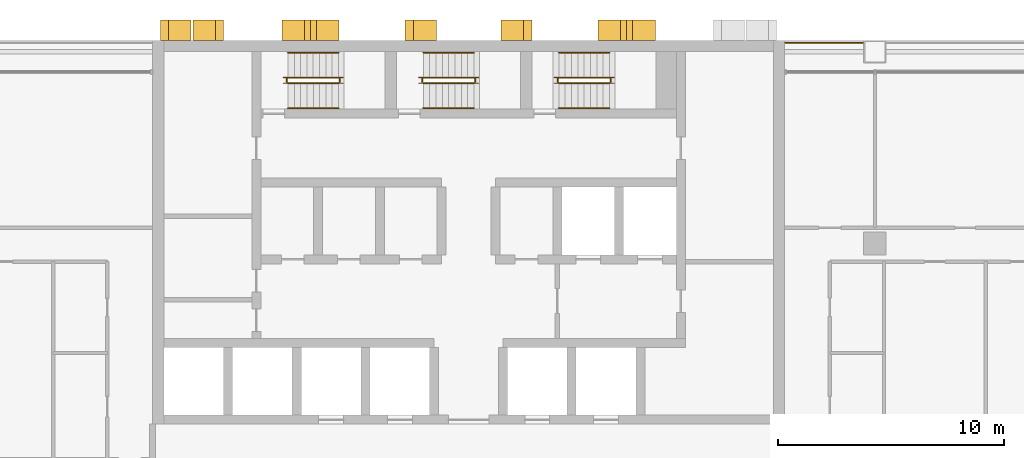
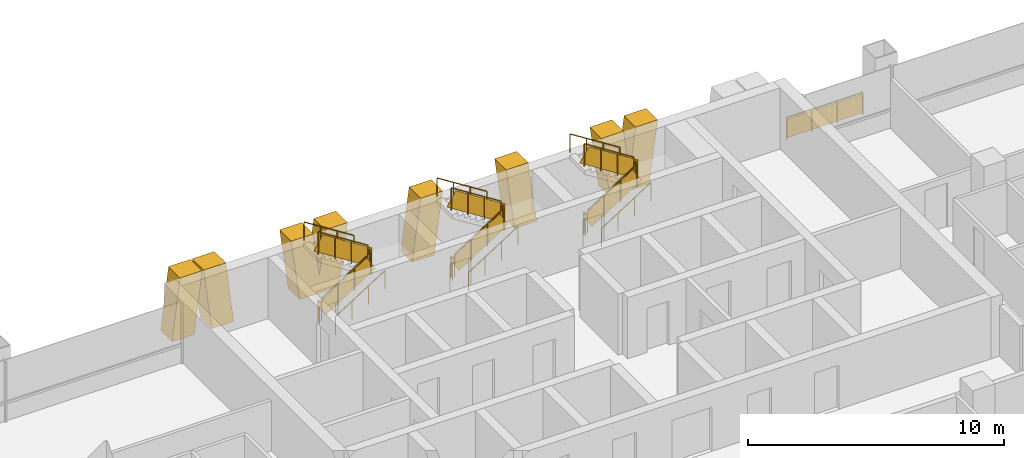
# One storey, part 17 of 18: 19 railings, 6 shading devices.
"""IFC4 building model written with IfcOpenShell, lengths in metres."""

from ifc_helpers import new_model, si_unit, direction, frame, origin, origin_2d, place, context, subcontext, project, spatial, polyline, rectangle, circle, outline, extrude, material, layer, layer_set, type_object, element, save


model = new_model("IFC4")

# Units and contexts
model_context = context("Model", 3, precision=1e-05, world=origin(), true_north=direction((0.0, 1.0)))
body_context = subcontext(model_context, "Body", "Model", "MODEL_VIEW")
ifc_project = project(units=[si_unit("LENGTHUNIT", "METRE"), si_unit("AREAUNIT", "SQUARE_METRE"), si_unit("VOLUMEUNIT", "CUBIC_METRE"), si_unit("PLANEANGLEUNIT", "RADIAN"), si_unit("MASSUNIT", "GRAM", prefix="KILO")], contexts=[model_context])

# Site, building, storey
site_placement = place(None, origin())
site = spatial("IfcSite", under=ifc_project, at=site_placement, CompositionType="ELEMENT")
building_placement = place(site_placement, origin())
building = spatial("IfcBuilding", under=site, at=building_placement, Name="Vidyagriha Tower", CompositionType="ELEMENT")
storey_placement = place(building_placement, frame((0.0, 0.0, 44.800048828125)))
storey = spatial("IfcBuildingStorey", under=building, at=storey_placement, Name="L11", CompositionType="ELEMENT", Elevation=44.800048828125)

# Shading devices
ifc_material_1 = material(Name="Precast concrete C40/50 with brick facing", Category="concrete")
ifc_layer_1 = layer(ifc_material_1, 1.0)
ifc_layer_set_1 = layer_set([ifc_layer_1], Name="Precast concrete C40/50 with brick facing")
shading_device_type_1 = type_object("IfcShadingDeviceType", Name="Brick-faced rear rib arm leaning 8 degrees", PredefinedType="USERDEFINED", material=ifc_layer_set_1)
shading_device_1_placement = place(storey_placement, frame((2.814208984375, 20.449951171875, 0.0), z_axis=(0.0, 0.0, 1.0), x_axis=(-1.0, 0.0, 0.0)))
element("IfcShadingDevice", 1, at=shading_device_1_placement, inside=storey, type_object=shading_device_type_1, Name="Rear rib arm L11 R08.3a", ObjectType="BLADE FIN", PredefinedType="USERDEFINED", context=body_context, shape_type="SweptSolid", body=[
    extrude(outline(polyline([(0.0, 0.0), (1.0, 0.0), (1.3857421875, 2.919921875), (0.3857421875, 2.919921875), (0.0, 0.0)])), frame((0.0, 0.449951171875, 0.0), z_axis=(0.0, -1.0, 0.0), x_axis=(1.0, 0.0, 0.0)), (0.0, 0.0, 1.0), 0.89990234375),
])
shading_device_2_placement = place(storey_placement, frame((-1.4287109375, 20.449951171875, 0.0), z_axis=(0.0, 0.0, 1.0), x_axis=(-1.0, 0.0, 0.0)))
element("IfcShadingDevice", 2, at=shading_device_2_placement, inside=storey, type_object=shading_device_type_1, Name="Rear rib arm L11 R08.3b", ObjectType="BLADE FIN", PredefinedType="USERDEFINED", context=body_context, shape_type="SweptSolid", body=[
    extrude(outline(polyline([(0.3857421875, 0.0), (1.3857421875, 0.0), (1.0, 2.919921875), (0.0, 2.919921875), (0.3857421875, 0.0)])), frame((0.0, 0.449951171875, 0.0), z_axis=(0.0, -1.0, 0.0), x_axis=(1.0, 0.0, 0.0)), (0.0, 0.0, 1.0), 0.89990234375),
])
shading_device_3_placement = place(storey_placement, frame((-10.857177734375, 20.449951171875, 0.0), z_axis=(0.0, 0.0, 1.0), x_axis=(-1.0, 0.0, 0.0)))
element("IfcShadingDevice", 3, at=shading_device_3_placement, inside=storey, type_object=shading_device_type_1, Name="Rear rib arm L11 R08.5a", ObjectType="BLADE FIN", PredefinedType="USERDEFINED", context=body_context, shape_type="SweptSolid", body=[
    extrude(outline(polyline([(0.0, 0.0), (1.0, 0.0), (1.357177734375, 2.919921875), (0.357177734375, 2.919921875), (0.0, 0.0)])), frame((0.0, 0.449951171875, 0.0), z_axis=(0.0, -1.0, 0.0), x_axis=(1.0, 0.0, 0.0)), (0.0, 0.0, 1.0), 0.89990234375),
])
shading_device_4_placement = place(storey_placement, frame((-12.28564453125, 20.449951171875, 0.0), z_axis=(0.0, 0.0, 1.0), x_axis=(-1.0, 0.0, 0.0)))
element("IfcShadingDevice", 4, at=shading_device_4_placement, inside=storey, type_object=shading_device_type_1, Name="Rear rib arm L11 R08.5b", ObjectType="BLADE FIN", PredefinedType="USERDEFINED", context=body_context, shape_type="SweptSolid", body=[
    extrude(outline(polyline([(0.357177734375, 0.0), (1.357177734375, 0.0), (1.0, 2.919921875), (0.0, 2.919921875), (0.357177734375, 0.0)])), frame((0.0, 0.449951171875, 0.0), z_axis=(0.0, -1.0, 0.0), x_axis=(1.0, 0.0, 0.0)), (0.0, 0.0, 1.0), 0.89990234375),
])
ifc_material_2 = material(Name="Precast concrete C40/50 with brick facing", Category="concrete")
ifc_layer_2 = layer(ifc_material_2, 1.0)
ifc_layer_set_2 = layer_set([ifc_layer_2], Name="Precast concrete C40/50 with brick facing")
shading_device_type_2 = type_object("IfcShadingDeviceType", Name="Brick-faced rear rib forking 8 degrees", PredefinedType="USERDEFINED", material=ifc_layer_set_2)
for number, where, z_axis, x_axis, name in (
    (5, (8.271484375, 20.449951171875, 0.0), (0.0, 0.0, 1.0), (-1.0, 0.0, 0.0), "Rear rib fork L11 R08.2a"),
    (6, (-5.728515625, 20.449951171875, 0.0), (0.0, 0.0, 1.0), (-1.0, 0.0, 0.0), "Rear rib fork L11 R08.4a"),
):
    element("IfcShadingDevice", number, at=place(storey_placement, frame(where, z_axis=z_axis, x_axis=x_axis)), inside=storey, type_object=shading_device_type_2, Name=name, ObjectType="BLADE FIN", PredefinedType="USERDEFINED", context=body_context, shape_type="SweptSolid", body=[
        extrude(outline(polyline([(0.3857421875, 0.0), (2.156982421875, 0.0), (2.542724609375, 2.919921875), (1.542724609375, 2.919921875), (1.271484375, 0.865234375), (1.0, 2.919921875), (0.0, 2.919921875), (0.3857421875, 0.0)])), frame((0.0, 0.449951171875, 0.0), z_axis=(0.0, -1.0, 0.0), x_axis=(1.0, 0.0, 0.0)), (0.0, 0.0, 1.0), 0.89990234375),
    ])

# Railings
ifc_material_3 = material(Name="Steel ASTM A500 Grade C black painted", Category="steel")
railing_type_1 = type_object("IfcRailingType", Name="Gallery guard 1100", PredefinedType="GUARDRAIL", material=ifc_material_3)
railing_1_placement = place(storey_placement, frame((14.030029296875, 19.89990234375, 0.0)))
element("IfcRailing", 7, at=railing_1_placement, inside=storey, type_object=railing_type_1, Name="Gallery guard L11 10", PredefinedType="GUARDRAIL", context=body_context, shape_type="SweptSolid", body=[
    extrude(circle(Radius=0.02490234375, at=origin_2d()), frame((0.0, 0.0, 1.0751953125), z_axis=(1.0, 0.0, 0.0), x_axis=(0.0, 1.0, 0.0)), (0.0, 0.0, 1.0), 3.43994140625),
    extrude(circle(Radius=0.02001953125, at=origin_2d()), origin(), (0.0, 0.0, 1.0), 1.050048828125),
    extrude(circle(Radius=0.02001953125, at=origin_2d()), frame((1.146728515625, 0.0, 0.0)), (0.0, 0.0, 1.0), 1.050048828125),
    extrude(circle(Radius=0.02001953125, at=origin_2d()), frame((2.293212890625, 0.0, 0.0)), (0.0, 0.0, 1.0), 1.050048828125),
    extrude(circle(Radius=0.02001953125, at=origin_2d()), frame((3.43994140625, 0.0, 0.0)), (0.0, 0.0, 1.0), 1.050048828125),
    extrude(rectangle(XDim=0.010009765625, YDim=0.900146484375, at=origin_2d()), frame((0.0, 0.0, 0.550048828125), z_axis=(1.0, 0.0, 0.0), x_axis=(0.0, 1.0, 0.0)), (0.0, 0.0, 1.0), 3.43994140625),
])
ifc_material_4 = material(Name="Steel ASTM A500 Grade C", Category="steel")
railing_type_2 = type_object("IfcRailingType", Name="Stair guard 1100 mm, steel balustrade", PredefinedType="GUARDRAIL", material=ifc_material_4)
railing_2_placement = place(storey_placement, frame((-8.0, 18.10009765625, 0.177734375)))
element("IfcRailing", 8, at=railing_2_placement, inside=storey, type_object=railing_type_2, Name="L11 ST1 stair guard 1", PredefinedType="GUARDRAIL", context=body_context, shape_type="SweptSolid", body=[
    extrude(circle(Radius=0.02392578125, at=origin_2d()), frame((0.0, 0.0, 1.076171875), z_axis=(0.8442293374, 0.0, 0.53598211339), x_axis=(0.0, 1.0, 0.0)), (0.0, 0.0, 1.0), 2.6533203125),
    extrude(circle(Radius=0.02099609375, at=origin_2d()), origin(), (0.0, 0.0, 1.0), 1.052001953125),
    extrude(circle(Radius=0.02099609375, at=origin_2d()), frame((0.74658203125, 0.0, 0.47412109375)), (0.0, 0.0, 1.0), 1.052001953125),
    extrude(circle(Radius=0.02099609375, at=origin_2d()), frame((1.493408203125, 0.0, 0.947998046875)), (0.0, 0.0, 1.0), 1.052001953125),
    extrude(circle(Radius=0.02099609375, at=origin_2d()), frame((2.239990234375, 0.0, 1.422119140625)), (0.0, 0.0, 1.0), 1.052001953125),
    extrude(rectangle(XDim=0.010009765625, YDim=0.761474609375, at=origin_2d()), frame((0.0, 0.0, 0.551025390625), z_axis=(0.8442293374, 0.0, 0.53598211339), x_axis=(0.0, 1.0, 0.0)), (0.0, 0.0, 1.0), 2.6533203125),
])
railing_3_placement = place(storey_placement, frame((-5.7099609375, 18.14990234375, 1.599853515625)))
element("IfcRailing", 9, at=railing_3_placement, inside=storey, type_object=railing_type_2, Name="L11 ST1 stair guard 2", PredefinedType="GUARDRAIL", context=body_context, shape_type="SweptSolid", body=[
    extrude(circle(Radius=0.02392578125, at=origin_2d()), frame((0.0, 0.0, 1.076171875), z_axis=(0.0, 1.0, 0.0), x_axis=(-1.0, 0.0, 0.0)), (0.0, 0.0, 1.0), 0.150146484375),
    extrude(circle(Radius=0.02099609375, at=origin_2d()), origin(), (0.0, 0.0, 1.0), 1.052001953125),
    extrude(circle(Radius=0.02099609375, at=origin_2d()), frame((0.0, 0.150146484375, 0.0)), (0.0, 0.0, 1.0), 1.052001953125),
    extrude(rectangle(XDim=0.010009765625, YDim=0.902099609375, at=origin_2d()), frame((0.0, 0.0, 0.551025390625), z_axis=(0.0, 1.0, 0.0), x_axis=(-1.0, 0.0, 0.0)), (0.0, 0.0, 1.0), 0.150146484375),
])
railing_4_placement = place(storey_placement, frame((-5.760009765625, 18.35009765625, 1.77783203125)))
element("IfcRailing", 10, at=railing_4_placement, inside=storey, type_object=railing_type_2, Name="L11 ST1 stair guard 3", PredefinedType="GUARDRAIL", context=body_context, shape_type="SweptSolid", body=[
    extrude(circle(Radius=0.02392578125, at=origin_2d()), frame((0.0, 0.0, 1.076171875), z_axis=(-0.8442293374, 0.0, 0.53598211339), x_axis=(0.0, -1.0, 0.0)), (0.0, 0.0, 1.0), 2.6533203125),
    extrude(circle(Radius=0.02099609375, at=origin_2d()), origin(), (0.0, 0.0, 1.0), 1.052001953125),
    extrude(circle(Radius=0.02099609375, at=origin_2d()), frame((-0.74658203125, 0.0, 0.47412109375)), (0.0, 0.0, 1.0), 1.052001953125),
    extrude(circle(Radius=0.02099609375, at=origin_2d()), frame((-1.493408203125, 0.0, 0.947998046875)), (0.0, 0.0, 1.0), 1.052001953125),
    extrude(circle(Radius=0.02099609375, at=origin_2d()), frame((-2.239990234375, 0.0, 1.422119140625)), (0.0, 0.0, 1.0), 1.052001953125),
    extrude(rectangle(XDim=0.010009765625, YDim=0.761474609375, at=origin_2d()), frame((0.0, 0.0, 0.551025390625), z_axis=(-0.8442293374, 0.0, 0.53598211339), x_axis=(0.0, -1.0, 0.0)), (0.0, 0.0, 1.0), 2.6533203125),
])
railing_5_placement = place(storey_placement, frame((-8.050048828125, 18.14990234375, 0.0)))
element("IfcRailing", 11, at=railing_5_placement, inside=storey, type_object=railing_type_2, Name="L11 ST1 stair guard 4", PredefinedType="GUARDRAIL", context=body_context, shape_type="SweptSolid", body=[
    extrude(circle(Radius=0.02392578125, at=origin_2d()), frame((0.0, 0.0, 1.076171875), z_axis=(0.0, 1.0, 0.0), x_axis=(-1.0, 0.0, 0.0)), (0.0, 0.0, 1.0), 0.150146484375),
    extrude(circle(Radius=0.02099609375, at=origin_2d()), origin(), (0.0, 0.0, 1.0), 1.052001953125),
    extrude(circle(Radius=0.02099609375, at=origin_2d()), frame((0.0, 0.150146484375, 0.0)), (0.0, 0.0, 1.0), 1.052001953125),
    extrude(rectangle(XDim=0.010009765625, YDim=0.902099609375, at=origin_2d()), frame((0.0, 0.0, 0.551025390625), z_axis=(0.0, 1.0, 0.0), x_axis=(-1.0, 0.0, 0.0)), (0.0, 0.0, 1.0), 0.150146484375),
])
railing_6_placement = place(storey_placement, frame((-2.0, 18.10009765625, 0.177734375)))
element("IfcRailing", 12, at=railing_6_placement, inside=storey, type_object=railing_type_2, Name="L11 ST2 stair guard 1", PredefinedType="GUARDRAIL", context=body_context, shape_type="SweptSolid", body=[
    extrude(circle(Radius=0.02392578125, at=origin_2d()), frame((0.0, 0.0, 1.076171875), z_axis=(0.8442293374, 0.0, 0.53598211339), x_axis=(0.0, 1.0, 0.0)), (0.0, 0.0, 1.0), 2.6533203125),
    extrude(circle(Radius=0.02099609375, at=origin_2d()), origin(), (0.0, 0.0, 1.0), 1.052001953125),
    extrude(circle(Radius=0.02099609375, at=origin_2d()), frame((0.74658203125, 0.0, 0.47412109375)), (0.0, 0.0, 1.0), 1.052001953125),
    extrude(circle(Radius=0.02099609375, at=origin_2d()), frame((1.493408203125, 0.0, 0.947998046875)), (0.0, 0.0, 1.0), 1.052001953125),
    extrude(circle(Radius=0.02099609375, at=origin_2d()), frame((2.239990234375, 0.0, 1.422119140625)), (0.0, 0.0, 1.0), 1.052001953125),
    extrude(rectangle(XDim=0.010009765625, YDim=0.761474609375, at=origin_2d()), frame((0.0, 0.0, 0.551025390625), z_axis=(0.8442293374, 0.0, 0.53598211339), x_axis=(0.0, 1.0, 0.0)), (0.0, 0.0, 1.0), 2.6533203125),
])
railing_7_placement = place(storey_placement, frame((0.2900390625, 18.14990234375, 1.599853515625)))
element("IfcRailing", 13, at=railing_7_placement, inside=storey, type_object=railing_type_2, Name="L11 ST2 stair guard 2", PredefinedType="GUARDRAIL", context=body_context, shape_type="SweptSolid", body=[
    extrude(circle(Radius=0.02392578125, at=origin_2d()), frame((0.0, 0.0, 1.076171875), z_axis=(0.0, 1.0, 0.0), x_axis=(-1.0, 0.0, 0.0)), (0.0, 0.0, 1.0), 0.150146484375),
    extrude(circle(Radius=0.02099609375, at=origin_2d()), origin(), (0.0, 0.0, 1.0), 1.052001953125),
    extrude(circle(Radius=0.02099609375, at=origin_2d()), frame((0.0, 0.150146484375, 0.0)), (0.0, 0.0, 1.0), 1.052001953125),
    extrude(rectangle(XDim=0.010009765625, YDim=0.902099609375, at=origin_2d()), frame((0.0, 0.0, 0.551025390625), z_axis=(0.0, 1.0, 0.0), x_axis=(-1.0, 0.0, 0.0)), (0.0, 0.0, 1.0), 0.150146484375),
])
railing_8_placement = place(storey_placement, frame((0.239990234375, 18.35009765625, 1.77783203125)))
element("IfcRailing", 14, at=railing_8_placement, inside=storey, type_object=railing_type_2, Name="L11 ST2 stair guard 3", PredefinedType="GUARDRAIL", context=body_context, shape_type="SweptSolid", body=[
    extrude(circle(Radius=0.02392578125, at=origin_2d()), frame((0.0, 0.0, 1.076171875), z_axis=(-0.8442293374, 0.0, 0.53598211339), x_axis=(0.0, -1.0, 0.0)), (0.0, 0.0, 1.0), 2.6533203125),
    extrude(circle(Radius=0.02099609375, at=origin_2d()), origin(), (0.0, 0.0, 1.0), 1.052001953125),
    extrude(circle(Radius=0.02099609375, at=origin_2d()), frame((-0.74658203125, 0.0, 0.47412109375)), (0.0, 0.0, 1.0), 1.052001953125),
    extrude(circle(Radius=0.02099609375, at=origin_2d()), frame((-1.493408203125, 0.0, 0.947998046875)), (0.0, 0.0, 1.0), 1.052001953125),
    extrude(circle(Radius=0.02099609375, at=origin_2d()), frame((-2.239990234375, 0.0, 1.422119140625)), (0.0, 0.0, 1.0), 1.052001953125),
    extrude(rectangle(XDim=0.010009765625, YDim=0.761474609375, at=origin_2d()), frame((0.0, 0.0, 0.551025390625), z_axis=(-0.8442293374, 0.0, 0.53598211339), x_axis=(0.0, -1.0, 0.0)), (0.0, 0.0, 1.0), 2.6533203125),
])
railing_9_placement = place(storey_placement, frame((-2.050048828125, 18.14990234375, 0.0)))
element("IfcRailing", 15, at=railing_9_placement, inside=storey, type_object=railing_type_2, Name="L11 ST2 stair guard 4", PredefinedType="GUARDRAIL", context=body_context, shape_type="SweptSolid", body=[
    extrude(circle(Radius=0.02392578125, at=origin_2d()), frame((0.0, 0.0, 1.076171875), z_axis=(0.0, 1.0, 0.0), x_axis=(-1.0, 0.0, 0.0)), (0.0, 0.0, 1.0), 0.150146484375),
    extrude(circle(Radius=0.02099609375, at=origin_2d()), origin(), (0.0, 0.0, 1.0), 1.052001953125),
    extrude(circle(Radius=0.02099609375, at=origin_2d()), frame((0.0, 0.150146484375, 0.0)), (0.0, 0.0, 1.0), 1.052001953125),
    extrude(rectangle(XDim=0.010009765625, YDim=0.902099609375, at=origin_2d()), frame((0.0, 0.0, 0.551025390625), z_axis=(0.0, 1.0, 0.0), x_axis=(-1.0, 0.0, 0.0)), (0.0, 0.0, 1.0), 0.150146484375),
])
railing_10_placement = place(storey_placement, frame((4.0, 18.10009765625, 0.177734375)))
element("IfcRailing", 16, at=railing_10_placement, inside=storey, type_object=railing_type_2, Name="L11 ST3 stair guard 1", PredefinedType="GUARDRAIL", context=body_context, shape_type="SweptSolid", body=[
    extrude(circle(Radius=0.02392578125, at=origin_2d()), frame((0.0, 0.0, 1.076171875), z_axis=(0.8442293374, 0.0, 0.53598211339), x_axis=(0.0, 1.0, 0.0)), (0.0, 0.0, 1.0), 2.6533203125),
    extrude(circle(Radius=0.02099609375, at=origin_2d()), origin(), (0.0, 0.0, 1.0), 1.052001953125),
    extrude(circle(Radius=0.02099609375, at=origin_2d()), frame((0.74658203125, 0.0, 0.47412109375)), (0.0, 0.0, 1.0), 1.052001953125),
    extrude(circle(Radius=0.02099609375, at=origin_2d()), frame((1.493408203125, 0.0, 0.947998046875)), (0.0, 0.0, 1.0), 1.052001953125),
    extrude(circle(Radius=0.02099609375, at=origin_2d()), frame((2.239990234375, 0.0, 1.422119140625)), (0.0, 0.0, 1.0), 1.052001953125),
    extrude(rectangle(XDim=0.010009765625, YDim=0.761474609375, at=origin_2d()), frame((0.0, 0.0, 0.551025390625), z_axis=(0.8442293374, 0.0, 0.53598211339), x_axis=(0.0, 1.0, 0.0)), (0.0, 0.0, 1.0), 2.6533203125),
])
railing_11_placement = place(storey_placement, frame((6.2900390625, 18.14990234375, 1.599853515625)))
element("IfcRailing", 17, at=railing_11_placement, inside=storey, type_object=railing_type_2, Name="L11 ST3 stair guard 2", PredefinedType="GUARDRAIL", context=body_context, shape_type="SweptSolid", body=[
    extrude(circle(Radius=0.02392578125, at=origin_2d()), frame((0.0, 0.0, 1.076171875), z_axis=(0.0, 1.0, 0.0), x_axis=(-1.0, 0.0, 0.0)), (0.0, 0.0, 1.0), 0.150146484375),
    extrude(circle(Radius=0.02099609375, at=origin_2d()), origin(), (0.0, 0.0, 1.0), 1.052001953125),
    extrude(circle(Radius=0.02099609375, at=origin_2d()), frame((0.0, 0.150146484375, 0.0)), (0.0, 0.0, 1.0), 1.052001953125),
    extrude(rectangle(XDim=0.010009765625, YDim=0.902099609375, at=origin_2d()), frame((0.0, 0.0, 0.551025390625), z_axis=(0.0, 1.0, 0.0), x_axis=(-1.0, 0.0, 0.0)), (0.0, 0.0, 1.0), 0.150146484375),
])
railing_12_placement = place(storey_placement, frame((6.239990234375, 18.35009765625, 1.77783203125)))
element("IfcRailing", 18, at=railing_12_placement, inside=storey, type_object=railing_type_2, Name="L11 ST3 stair guard 3", PredefinedType="GUARDRAIL", context=body_context, shape_type="SweptSolid", body=[
    extrude(circle(Radius=0.02392578125, at=origin_2d()), frame((0.0, 0.0, 1.076171875), z_axis=(-0.8442293374, 0.0, 0.53598211339), x_axis=(0.0, -1.0, 0.0)), (0.0, 0.0, 1.0), 2.6533203125),
    extrude(circle(Radius=0.02099609375, at=origin_2d()), origin(), (0.0, 0.0, 1.0), 1.052001953125),
    extrude(circle(Radius=0.02099609375, at=origin_2d()), frame((-0.74658203125, 0.0, 0.47412109375)), (0.0, 0.0, 1.0), 1.052001953125),
    extrude(circle(Radius=0.02099609375, at=origin_2d()), frame((-1.493408203125, 0.0, 0.947998046875)), (0.0, 0.0, 1.0), 1.052001953125),
    extrude(circle(Radius=0.02099609375, at=origin_2d()), frame((-2.239990234375, 0.0, 1.422119140625)), (0.0, 0.0, 1.0), 1.052001953125),
    extrude(rectangle(XDim=0.010009765625, YDim=0.761474609375, at=origin_2d()), frame((0.0, 0.0, 0.551025390625), z_axis=(-0.8442293374, 0.0, 0.53598211339), x_axis=(0.0, -1.0, 0.0)), (0.0, 0.0, 1.0), 2.6533203125),
])
railing_13_placement = place(storey_placement, frame((3.949951171875, 18.14990234375, 0.0)))
element("IfcRailing", 19, at=railing_13_placement, inside=storey, type_object=railing_type_2, Name="L11 ST3 stair guard 4", PredefinedType="GUARDRAIL", context=body_context, shape_type="SweptSolid", body=[
    extrude(circle(Radius=0.02392578125, at=origin_2d()), frame((0.0, 0.0, 1.076171875), z_axis=(0.0, 1.0, 0.0), x_axis=(-1.0, 0.0, 0.0)), (0.0, 0.0, 1.0), 0.150146484375),
    extrude(circle(Radius=0.02099609375, at=origin_2d()), origin(), (0.0, 0.0, 1.0), 1.052001953125),
    extrude(circle(Radius=0.02099609375, at=origin_2d()), frame((0.0, 0.150146484375, 0.0)), (0.0, 0.0, 1.0), 1.052001953125),
    extrude(rectangle(XDim=0.010009765625, YDim=0.902099609375, at=origin_2d()), frame((0.0, 0.0, 0.551025390625), z_axis=(0.0, 1.0, 0.0), x_axis=(-1.0, 0.0, 0.0)), (0.0, 0.0, 1.0), 0.150146484375),
])
ifc_material_5 = material(Name="Steel ASTM A500 Grade C", Category="steel")
railing_type_3 = type_object("IfcRailingType", Name="Stair handrail 900 mm, steel", PredefinedType="HANDRAIL", material=ifc_material_5)
railing_14_placement = place(storey_placement, frame((-8.0, 17.0, 0.177734375)))
element("IfcRailing", 20, at=railing_14_placement, inside=storey, type_object=railing_type_3, Name="L11 ST1 stair handrail 1", PredefinedType="HANDRAIL", context=body_context, shape_type="SweptSolid", body=[
    extrude(circle(Radius=0.02392578125, at=origin_2d()), frame((0.0, 0.0, 0.8759765625), z_axis=(0.8442293374, 0.0, 0.53598211339), x_axis=(0.0, 1.0, 0.0)), (0.0, 0.0, 1.0), 2.6533203125),
    extrude(circle(Radius=0.02099609375, at=origin_2d()), origin(), (0.0, 0.0, 1.0), 0.851806640625),
    extrude(circle(Radius=0.02099609375, at=origin_2d()), frame((0.74658203125, 0.0, 0.47412109375)), (0.0, 0.0, 1.0), 0.851806640625),
    extrude(circle(Radius=0.02099609375, at=origin_2d()), frame((1.493408203125, 0.0, 0.947998046875)), (0.0, 0.0, 1.0), 0.851806640625),
    extrude(circle(Radius=0.02099609375, at=origin_2d()), frame((2.239990234375, 0.0, 1.422119140625)), (0.0, 0.0, 1.0), 0.851806640625),
])
railing_15_placement = place(storey_placement, frame((-5.760009765625, 19.449951171875, 1.77783203125)))
element("IfcRailing", 21, at=railing_15_placement, inside=storey, type_object=railing_type_3, Name="L11 ST1 stair handrail 2", PredefinedType="HANDRAIL", context=body_context, shape_type="SweptSolid", body=[
    extrude(circle(Radius=0.02392578125, at=origin_2d()), frame((0.0, 0.0, 0.8759765625), z_axis=(-0.8442293374, 0.0, 0.53598211339), x_axis=(0.0, -1.0, 0.0)), (0.0, 0.0, 1.0), 2.6533203125),
    extrude(circle(Radius=0.02099609375, at=origin_2d()), origin(), (0.0, 0.0, 1.0), 0.851806640625),
    extrude(circle(Radius=0.02099609375, at=origin_2d()), frame((-0.74658203125, 0.0, 0.47412109375)), (0.0, 0.0, 1.0), 0.851806640625),
    extrude(circle(Radius=0.02099609375, at=origin_2d()), frame((-1.493408203125, 0.0, 0.947998046875)), (0.0, 0.0, 1.0), 0.851806640625),
    extrude(circle(Radius=0.02099609375, at=origin_2d()), frame((-2.239990234375, 0.0, 1.422119140625)), (0.0, 0.0, 1.0), 0.851806640625),
])
railing_16_placement = place(storey_placement, frame((-2.0, 17.0, 0.177734375)))
element("IfcRailing", 22, at=railing_16_placement, inside=storey, type_object=railing_type_3, Name="L11 ST2 stair handrail 1", PredefinedType="HANDRAIL", context=body_context, shape_type="SweptSolid", body=[
    extrude(circle(Radius=0.02392578125, at=origin_2d()), frame((0.0, 0.0, 0.8759765625), z_axis=(0.8442293374, 0.0, 0.53598211339), x_axis=(0.0, 1.0, 0.0)), (0.0, 0.0, 1.0), 2.6533203125),
    extrude(circle(Radius=0.02099609375, at=origin_2d()), origin(), (0.0, 0.0, 1.0), 0.851806640625),
    extrude(circle(Radius=0.02099609375, at=origin_2d()), frame((0.74658203125, 0.0, 0.47412109375)), (0.0, 0.0, 1.0), 0.851806640625),
    extrude(circle(Radius=0.02099609375, at=origin_2d()), frame((1.493408203125, 0.0, 0.947998046875)), (0.0, 0.0, 1.0), 0.851806640625),
    extrude(circle(Radius=0.02099609375, at=origin_2d()), frame((2.239990234375, 0.0, 1.422119140625)), (0.0, 0.0, 1.0), 0.851806640625),
])
railing_17_placement = place(storey_placement, frame((0.239990234375, 19.449951171875, 1.77783203125)))
element("IfcRailing", 23, at=railing_17_placement, inside=storey, type_object=railing_type_3, Name="L11 ST2 stair handrail 2", PredefinedType="HANDRAIL", context=body_context, shape_type="SweptSolid", body=[
    extrude(circle(Radius=0.02392578125, at=origin_2d()), frame((0.0, 0.0, 0.8759765625), z_axis=(-0.8442293374, 0.0, 0.53598211339), x_axis=(0.0, -1.0, 0.0)), (0.0, 0.0, 1.0), 2.6533203125),
    extrude(circle(Radius=0.02099609375, at=origin_2d()), origin(), (0.0, 0.0, 1.0), 0.851806640625),
    extrude(circle(Radius=0.02099609375, at=origin_2d()), frame((-0.74658203125, 0.0, 0.47412109375)), (0.0, 0.0, 1.0), 0.851806640625),
    extrude(circle(Radius=0.02099609375, at=origin_2d()), frame((-1.493408203125, 0.0, 0.947998046875)), (0.0, 0.0, 1.0), 0.851806640625),
    extrude(circle(Radius=0.02099609375, at=origin_2d()), frame((-2.239990234375, 0.0, 1.422119140625)), (0.0, 0.0, 1.0), 0.851806640625),
])
railing_18_placement = place(storey_placement, frame((4.0, 17.0, 0.177734375)))
element("IfcRailing", 24, at=railing_18_placement, inside=storey, type_object=railing_type_3, Name="L11 ST3 stair handrail 1", PredefinedType="HANDRAIL", context=body_context, shape_type="SweptSolid", body=[
    extrude(circle(Radius=0.02392578125, at=origin_2d()), frame((0.0, 0.0, 0.8759765625), z_axis=(0.8442293374, 0.0, 0.53598211339), x_axis=(0.0, 1.0, 0.0)), (0.0, 0.0, 1.0), 2.6533203125),
    extrude(circle(Radius=0.02099609375, at=origin_2d()), origin(), (0.0, 0.0, 1.0), 0.851806640625),
    extrude(circle(Radius=0.02099609375, at=origin_2d()), frame((0.74658203125, 0.0, 0.47412109375)), (0.0, 0.0, 1.0), 0.851806640625),
    extrude(circle(Radius=0.02099609375, at=origin_2d()), frame((1.493408203125, 0.0, 0.947998046875)), (0.0, 0.0, 1.0), 0.851806640625),
    extrude(circle(Radius=0.02099609375, at=origin_2d()), frame((2.239990234375, 0.0, 1.422119140625)), (0.0, 0.0, 1.0), 0.851806640625),
])
railing_19_placement = place(storey_placement, frame((6.239990234375, 19.449951171875, 1.77783203125)))
element("IfcRailing", 25, at=railing_19_placement, inside=storey, type_object=railing_type_3, Name="L11 ST3 stair handrail 2", PredefinedType="HANDRAIL", context=body_context, shape_type="SweptSolid", body=[
    extrude(circle(Radius=0.02392578125, at=origin_2d()), frame((0.0, 0.0, 0.8759765625), z_axis=(-0.8442293374, 0.0, 0.53598211339), x_axis=(0.0, -1.0, 0.0)), (0.0, 0.0, 1.0), 2.6533203125),
    extrude(circle(Radius=0.02099609375, at=origin_2d()), origin(), (0.0, 0.0, 1.0), 0.851806640625),
    extrude(circle(Radius=0.02099609375, at=origin_2d()), frame((-0.74658203125, 0.0, 0.47412109375)), (0.0, 0.0, 1.0), 0.851806640625),
    extrude(circle(Radius=0.02099609375, at=origin_2d()), frame((-1.493408203125, 0.0, 0.947998046875)), (0.0, 0.0, 1.0), 0.851806640625),
    extrude(circle(Radius=0.02099609375, at=origin_2d()), frame((-2.239990234375, 0.0, 1.422119140625)), (0.0, 0.0, 1.0), 0.851806640625),
])

save(model, "model.ifc")
